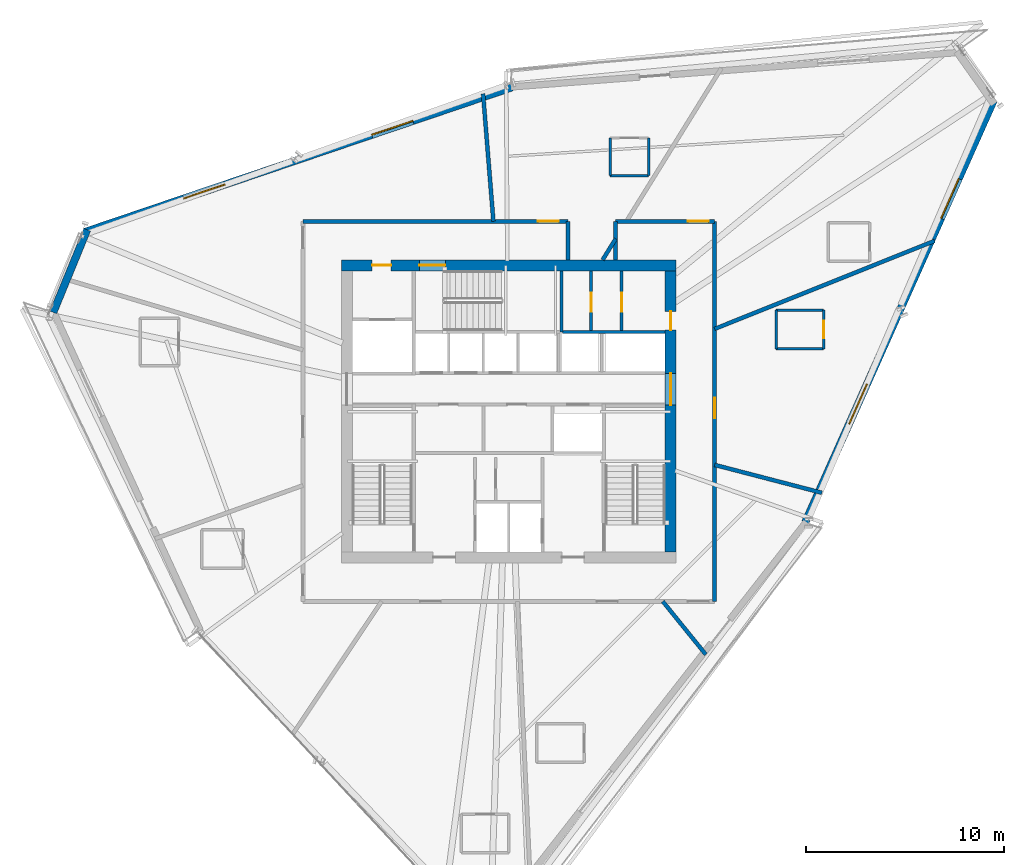
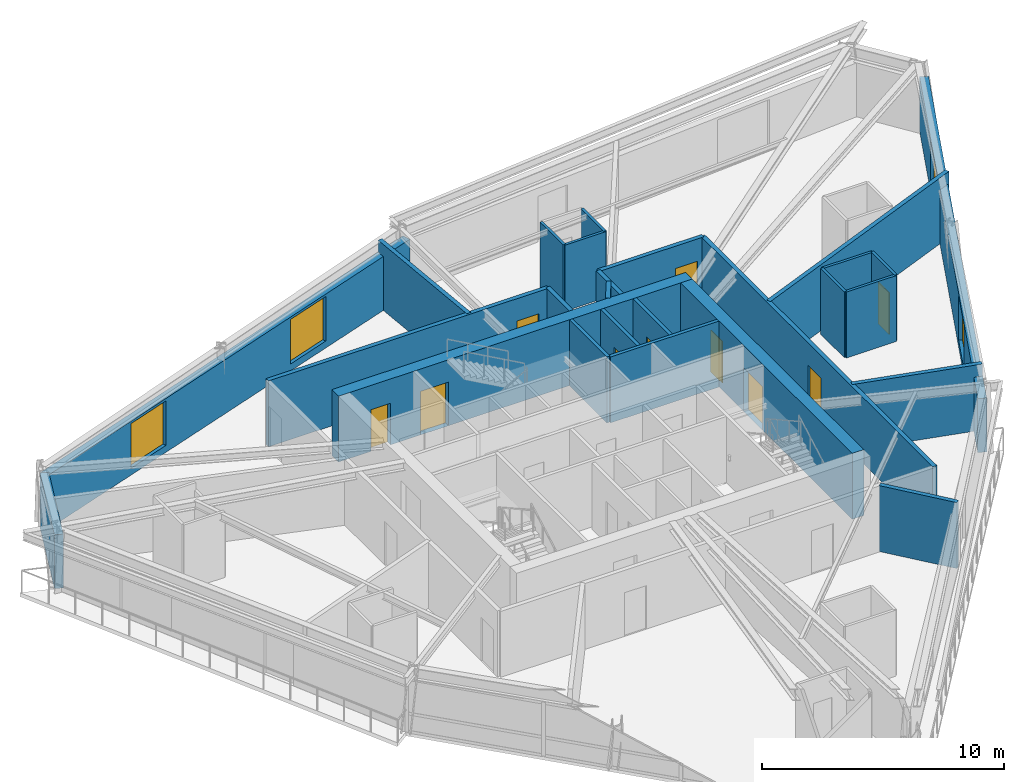
# One storey, part 10 of 14: 26 walls, 10 doors, 4 windows, 14 openings.
"""IFC4 building model written with IfcOpenShell, lengths in metres."""

from ifc_helpers import new_model, si_unit, direction, frame, frame_2d, origin, place, context, subcontext, project, spatial, rectangle, extrude, source, transform, mapped, material, layer, layer_set, type_object, type_shapes, element, fill, save


model = new_model("IFC4")

# Units and contexts
model_context = context("Model", 3, precision=1e-05, world=origin(), true_north=direction((0.0, 1.0)))
body_context = subcontext(model_context, "Body", "Model", "MODEL_VIEW")
ifc_project = project(units=[si_unit("LENGTHUNIT", "METRE"), si_unit("AREAUNIT", "SQUARE_METRE"), si_unit("VOLUMEUNIT", "CUBIC_METRE"), si_unit("PLANEANGLEUNIT", "RADIAN"), si_unit("MASSUNIT", "GRAM", prefix="KILO")], contexts=[model_context])

# Site, building, storey
site_placement = place(None, origin())
site = spatial("IfcSite", under=ifc_project, at=site_placement, CompositionType="ELEMENT")
building_placement = place(site_placement, origin())
building = spatial("IfcBuilding", under=site, at=building_placement, Name="Olszyna Solenne Hotel", CompositionType="ELEMENT")
storey_placement = place(building_placement, frame((0.0, 0.0, 178.550048828125)))
storey = spatial("IfcBuildingStorey", under=building, at=storey_placement, Name="L47", CompositionType="ELEMENT", Elevation=178.550048828125)

# Wall, openings, doors
ifc_material_1 = material(Name="Concrete C50/60", Category="concrete")
ifc_layer_1 = layer(ifc_material_1, 0.550048828125, Name="Concrete C50/60")
ifc_layer_set_1 = layer_set([ifc_layer_1], Name="Concrete C50/60")
wall_type_1 = type_object("IfcWallType", Name="WL-CR550", PredefinedType="SHEAR", material=ifc_layer_set_1)
wall_1_placement = place(storey_placement, frame((29.550048828125, 33.97509765625, 0.0), z_axis=(0.0, 0.0, 1.0), x_axis=(1.0, 0.0, 0.0)))
wall_1 = element("IfcWall", 1, at=wall_1_placement, inside=storey, type_object=wall_type_1, Name="Core shear wall WL-CR550 CRW-L47-N", PredefinedType="SHEAR", context=body_context, shape_type="SweptSolid", body=[
    extrude(rectangle(XDim=16.89990234375, YDim=0.550048828125, at=frame_2d((8.449951171875, 0.0))), origin(), (0.0, 0.0, 1.0), 3.329833984375),
])
opening_1_placement = place(wall_1_placement, frame((1.550048828125, 0.0, 0.0)))
opening_1 = element("IfcOpeningElement", 2, at=opening_1_placement, cuts=wall_1, Name="Opening SVD-L47-01", PredefinedType="OPENING", context=body_context, shape_type="SweptSolid", body=[
    extrude(rectangle(XDim=0.949951171875, YDim=2.10009765625, at=frame_2d((0.47509765625, 1.050048828125))), frame((0.0, 0.28515625, 0.0), z_axis=(0.0, -1.0, 0.0), x_axis=(1.0, 0.0, 0.0)), (0.0, 0.0, 1.0), 0.570068359375),
])
opening_2_placement = place(wall_1_placement, frame((3.929931640625, 0.0, 0.0)))
opening_2 = element("IfcOpeningElement", 3, at=opening_2_placement, cuts=wall_1, Name="Opening STD-L47-03", PredefinedType="OPENING", context=body_context, shape_type="SweptSolid", body=[
    extrude(rectangle(XDim=1.320068359375, YDim=2.199951171875, at=frame_2d((0.66015625, 1.10009765625))), frame((0.0, 0.28515625, 0.0), z_axis=(0.0, -1.0, 0.0), x_axis=(1.0, 0.0, 0.0)), (0.0, 0.0, 1.0), 0.570068359375),
])
ifc_material_2 = material(Name="Steel S355J2", Category="steel")
door_type_1 = type_object("IfcDoorType", Name="DR-ST1", OperationType="NOTDEFINED", PredefinedType="DOOR", material=ifc_material_2)
shared_shape_1 = source(origin(), body_context, "Body", "SweptSolid", [
    extrude(rectangle(XDim=1.320068359375, YDim=2.199951171875, at=frame_2d((0.66015625, 1.10009765625))), frame((0.0, 0.02490234375, 0.0), z_axis=(0.0, -1.0, 0.0), x_axis=(1.0, 0.0, 0.0)), (0.0, 0.0, 1.0), 0.050048828125),
])
type_shapes(door_type_1, [shared_shape_1])
door_1_placement = place(opening_2_placement, origin())
door_1 = element("IfcDoor", 4, at=door_1_placement, inside=storey, type_object=door_type_1, Name="Pressurised exit stair ST3 fire door STD-L47-03", OperationType="SINGLE_SWING_RIGHT", OverallHeight=2.199951171875, OverallWidth=1.320068359375, PredefinedType="DOOR", context=body_context, shape_type="MappedRepresentation", body=[
    mapped(shared_shape_1, transform((0.0, 0.0, 0.0), x_axis=(1.0, 0.0, 0.0), y_axis=(0.0, 1.0, 0.0), z_axis=(0.0, 0.0, 1.0), scale=1.0)),
])
fill(opening_2, door_1)
door_type_2 = type_object("IfcDoorType", Name="DR-SV1", OperationType="NOTDEFINED", PredefinedType="DOOR", material=ifc_material_2)
shared_shape_2 = source(origin(), body_context, "Body", "SweptSolid", [
    extrude(rectangle(XDim=0.949951171875, YDim=2.10009765625, at=frame_2d((0.47509765625, 1.050048828125))), frame((0.0, 0.02490234375, 0.0), z_axis=(0.0, -1.0, 0.0), x_axis=(1.0, 0.0, 0.0)), (0.0, 0.0, 1.0), 0.050048828125),
])
type_shapes(door_type_2, [shared_shape_2])
door_2_placement = place(opening_1_placement, origin())
door_2 = element("IfcDoor", 5, at=door_2_placement, inside=storey, type_object=door_type_2, Name="Service lift lobby fire door SVD-L47-01", OperationType="SINGLE_SWING_LEFT", OverallHeight=2.10009765625, OverallWidth=0.949951171875, PredefinedType="DOOR", context=body_context, shape_type="MappedRepresentation", body=[
    mapped(shared_shape_2, transform((0.0, 0.0, 0.0), x_axis=(1.0, 0.0, 0.0), y_axis=(0.0, 1.0, 0.0), z_axis=(0.0, 0.0, 1.0), scale=1.0)),
])
fill(opening_1, door_2)

wall_2_placement = place(storey_placement, frame((46.175048828125, 33.699951171875, 0.0), z_axis=(0.0, 0.0, 1.0), x_axis=(0.0, -1.0, 0.0)))
wall_2 = element("IfcWall", 6, at=wall_2_placement, inside=storey, type_object=wall_type_1, Name="Core shear wall WL-CR550 CRW-L47-E", PredefinedType="SHEAR", context=body_context, shape_type="SweptSolid", body=[
    extrude(rectangle(XDim=14.199951171875, YDim=0.550048828125, at=frame_2d((7.10009765625, 0.0))), origin(), (0.0, 0.0, 1.0), 3.329833984375),
])
opening_3_placement = place(wall_2_placement, frame((5.179931640625, 0.0, 0.0)))
opening_3 = element("IfcOpeningElement", 7, at=opening_3_placement, cuts=wall_2, Name="Opening LHD-L47-E", PredefinedType="OPENING", context=body_context, shape_type="SweptSolid", body=[
    extrude(rectangle(XDim=1.60009765625, YDim=2.199951171875, at=frame_2d((0.800048828125, 1.10009765625))), frame((0.0, 0.28515625, 0.0), z_axis=(0.0, -1.0, 0.0), x_axis=(1.0, 0.0, 0.0)), (0.0, 0.0, 1.0), 0.570068359375),
])
opening_4_placement = place(wall_2_placement, frame((2.050048828125, 0.0, 0.0)))
opening_4 = element("IfcOpeningElement", 8, at=opening_4_placement, cuts=wall_2, Name="Opening SVD-L47-BE", PredefinedType="OPENING", context=body_context, shape_type="SweptSolid", body=[
    extrude(rectangle(XDim=0.949951171875, YDim=2.10009765625, at=frame_2d((0.47509765625, 1.050048828125))), frame((0.0, 0.28515625, 0.0), z_axis=(0.0, -1.0, 0.0), x_axis=(1.0, 0.0, 0.0)), (0.0, 0.0, 1.0), 0.570068359375),
])
door_3_placement = place(opening_4_placement, origin())
door_3 = element("IfcDoor", 9, at=door_3_placement, inside=storey, type_object=door_type_2, Name="Housekeeping core fire door SVD-L47-BE", OperationType="SINGLE_SWING_RIGHT", OverallHeight=2.10009765625, OverallWidth=0.949951171875, PredefinedType="DOOR", context=body_context, shape_type="MappedRepresentation", body=[
    mapped(shared_shape_2, transform((0.0, 0.0, 0.0), x_axis=(1.0, 0.0, 0.0), y_axis=(0.0, 1.0, 0.0), z_axis=(0.0, 0.0, 1.0), scale=1.0)),
])
fill(opening_4, door_3)
ifc_material_3 = material(Name="Timber hardwood", Category="wood")
door_type_3 = type_object("IfcDoorType", Name="DR-CR1", OperationType="DOUBLE_DOOR_SINGLE_SWING", PredefinedType="DOOR", material=ifc_material_3)
shared_shape_3 = source(origin(), body_context, "Body", "SweptSolid", [
    extrude(rectangle(XDim=1.60009765625, YDim=2.199951171875, at=frame_2d((0.800048828125, 1.10009765625))), frame((0.0, 0.02490234375, 0.0), z_axis=(0.0, -1.0, 0.0), x_axis=(1.0, 0.0, 0.0)), (0.0, 0.0, 1.0), 0.050048828125),
])
type_shapes(door_type_3, [shared_shape_3])
door_4_placement = place(opening_3_placement, origin())
door_4 = element("IfcDoor", 10, at=door_4_placement, inside=storey, type_object=door_type_3, Name="Passenger lift lobby East fire door LHD-L47-E", OperationType="DOUBLE_DOOR_SINGLE_SWING", OverallHeight=2.199951171875, OverallWidth=1.60009765625, PredefinedType="DOOR", context=body_context, shape_type="MappedRepresentation", body=[
    mapped(shared_shape_3, transform((0.0, 0.0, 0.0), x_axis=(1.0, 0.0, 0.0), y_axis=(0.0, 1.0, 0.0), z_axis=(0.0, 0.0, 1.0), scale=1.0)),
])
fill(opening_3, door_4)

# Wall
ifc_material_4 = material(Name="Terracotta cladding on precast concrete C45/55", Category="masonry")
ifc_layer_2 = layer(ifc_material_4, 0.3798828125, Name="Terracotta cladding on precast concrete C45/55")
ifc_layer_set_2 = layer_set([ifc_layer_2], Name="Terracotta cladding on precast concrete C45/55")
wall_type_2 = type_object("IfcWallType", Name="WL-EX380", PredefinedType="SOLIDWALL", material=ifc_layer_set_2)
wall_3_placement = place(storey_placement, frame((14.985595703125, 31.599609375, 0.0), z_axis=(0.0, 0.0, 1.0), x_axis=(0.379425607081, 0.925222248269, 0.0)))
element("IfcWall", 11, at=wall_3_placement, inside=storey, type_object=wall_type_2, Name="Exterior terracotta-precast frame wall WL-EX380 EW-L47-06", PredefinedType="SOLIDWALL", context=body_context, shape_type="SweptSolid", body=[
    extrude(rectangle(XDim=4.508056640625, YDim=0.3798828125, at=frame_2d((2.25390625, 0.0))), origin(), (0.0, 0.0, 1.0), 2.721923828125),
])

# Wall, openings, windows
wall_4_placement = place(storey_placement, frame((16.5810546875, 35.66259765625, 0.0), z_axis=(0.0, 0.0, 1.0), x_axis=(0.947210910962, 0.320611119822, 0.0)))
wall_4 = element("IfcWall", 12, at=wall_4_placement, inside=storey, type_object=wall_type_2, Name="Exterior terracotta-precast frame wall WL-EX380 EW-L47-07", PredefinedType="SOLIDWALL", context=body_context, shape_type="SweptSolid", body=[
    extrude(rectangle(XDim=22.773681640625, YDim=0.3798828125, at=frame_2d((11.38671875, 0.0))), origin(), (0.0, 0.0, 1.0), 2.721923828125),
])
opening_5_placement = place(wall_4_placement, frame((5.277099609375, 0.0, 0.35205078125)))
opening_5 = element("IfcOpeningElement", 13, at=opening_5_placement, cuts=wall_4, Name="Opening WN-L47-296", PredefinedType="OPENING", context=body_context, shape_type="SweptSolid", body=[
    extrude(rectangle(XDim=2.199951171875, YDim=2.25, at=frame_2d((1.10009765625, 1.125))), frame((0.0, 0.199951171875, 0.0), z_axis=(0.0, -1.0, 0.0), x_axis=(1.0, 0.0, 0.0)), (0.0, 0.0, 1.0), 0.39990234375),
])
opening_6_placement = place(wall_4_placement, frame((15.297119140625, 0.0, 0.35205078125)))
opening_6 = element("IfcOpeningElement", 14, at=opening_6_placement, cuts=wall_4, Name="Opening WN-L47-297", PredefinedType="OPENING", context=body_context, shape_type="SweptSolid", body=[
    extrude(rectangle(XDim=2.199951171875, YDim=2.25, at=frame_2d((1.10009765625, 1.125))), frame((0.0, 0.199951171875, 0.0), z_axis=(0.0, -1.0, 0.0), x_axis=(1.0, 0.0, 0.0)), (0.0, 0.0, 1.0), 0.39990234375),
])
ifc_material_5 = material(Name="Low-E triple glazing", Category="glass")
window_type = type_object("IfcWindowType", Name="WN-HT2", PartitioningType="SINGLE_PANEL", PredefinedType="WINDOW", material=ifc_material_5)
shared_shape_4 = source(origin(), body_context, "Body", "SweptSolid", [
    extrude(rectangle(XDim=2.199951171875, YDim=2.25, at=frame_2d((1.10009765625, 1.125))), frame((0.0, 0.030029296875, 0.0), z_axis=(0.0, -1.0, 0.0), x_axis=(1.0, 0.0, 0.0)), (0.0, 0.0, 1.0), 0.06005859375),
])
type_shapes(window_type, [shared_shape_4])
window_1_placement = place(opening_5_placement, origin())
window_1 = element("IfcWindow", 15, at=window_1_placement, inside=storey, type_object=window_type, Name="Exterior facade window WN-HT2 WN-L47-296", OverallHeight=2.25, OverallWidth=2.199951171875, PartitioningType="SINGLE_PANEL", PredefinedType="WINDOW", context=body_context, shape_type="MappedRepresentation", body=[
    mapped(shared_shape_4, transform((0.0, 0.0, 0.0), x_axis=(1.0, 0.0, 0.0), y_axis=(0.0, 1.0, 0.0), z_axis=(0.0, 0.0, 1.0), scale=1.0)),
])
fill(opening_5, window_1)
window_2_placement = place(opening_6_placement, origin())
window_2 = element("IfcWindow", 16, at=window_2_placement, inside=storey, type_object=window_type, Name="Exterior facade window WN-HT2 WN-L47-297", OverallHeight=2.25, OverallWidth=2.199951171875, PartitioningType="SINGLE_PANEL", PredefinedType="WINDOW", context=body_context, shape_type="MappedRepresentation", body=[
    mapped(shared_shape_4, transform((0.0, 0.0, 0.0), x_axis=(1.0, 0.0, 0.0), y_axis=(0.0, 1.0, 0.0), z_axis=(0.0, 0.0, 1.0), scale=1.0)),
])
fill(opening_6, window_2)

wall_5_placement = place(storey_placement, frame((62.501708984375, 42.3154296875, 0.0), z_axis=(0.0, 0.0, 1.0), x_axis=(-0.408010166112, -0.912977384358, 0.0)))
wall_5 = element("IfcWall", 17, at=wall_5_placement, inside=storey, type_object=wall_type_2, Name="Exterior terracotta-precast frame wall WL-EX380 EW-L47-10", PredefinedType="SOLIDWALL", context=body_context, shape_type="SweptSolid", body=[
    extrude(rectangle(XDim=23.34716796875, YDim=0.3798828125, at=frame_2d((11.673583984375, 0.0))), origin(), (0.0, 0.0, 1.0), 2.721923828125),
])
opening_7_placement = place(wall_5_placement, frame((4.3369140625, 0.0, 0.35205078125)))
opening_7 = element("IfcOpeningElement", 18, at=opening_7_placement, cuts=wall_5, Name="Opening WN-L47-299", PredefinedType="OPENING", context=body_context, shape_type="SweptSolid", body=[
    extrude(rectangle(XDim=2.199951171875, YDim=2.25, at=frame_2d((1.10009765625, 1.125))), frame((0.0, 0.199951171875, 0.0), z_axis=(0.0, -1.0, 0.0), x_axis=(1.0, 0.0, 0.0)), (0.0, 0.0, 1.0), 0.39990234375),
])
opening_8_placement = place(wall_5_placement, frame((15.7099609375, 0.0, 0.35205078125)))
opening_8 = element("IfcOpeningElement", 19, at=opening_8_placement, cuts=wall_5, Name="Opening WN-L47-300", PredefinedType="OPENING", context=body_context, shape_type="SweptSolid", body=[
    extrude(rectangle(XDim=2.199951171875, YDim=2.25, at=frame_2d((1.10009765625, 1.125))), frame((0.0, 0.199951171875, 0.0), z_axis=(0.0, -1.0, 0.0), x_axis=(1.0, 0.0, 0.0)), (0.0, 0.0, 1.0), 0.39990234375),
])
window_3_placement = place(opening_7_placement, origin())
window_3 = element("IfcWindow", 20, at=window_3_placement, inside=storey, type_object=window_type, Name="Exterior facade window WN-HT2 WN-L47-299", OverallHeight=2.25, OverallWidth=2.199951171875, PartitioningType="SINGLE_PANEL", PredefinedType="WINDOW", context=body_context, shape_type="MappedRepresentation", body=[
    mapped(shared_shape_4, transform((0.0, 0.0, 0.0), x_axis=(1.0, 0.0, 0.0), y_axis=(0.0, 1.0, 0.0), z_axis=(0.0, 0.0, 1.0), scale=1.0)),
])
fill(opening_7, window_3)
window_4_placement = place(opening_8_placement, origin())
window_4 = element("IfcWindow", 21, at=window_4_placement, inside=storey, type_object=window_type, Name="Exterior facade window WN-HT2 WN-L47-300", OverallHeight=2.25, OverallWidth=2.199951171875, PartitioningType="SINGLE_PANEL", PredefinedType="WINDOW", context=body_context, shape_type="MappedRepresentation", body=[
    mapped(shared_shape_4, transform((0.0, 0.0, 0.0), x_axis=(1.0, 0.0, 0.0), y_axis=(0.0, 1.0, 0.0), z_axis=(0.0, 0.0, 1.0), scale=1.0)),
])
fill(opening_8, window_4)

# Wall, opening, door
ifc_material_6 = material(Name="Acoustic gypsum partition", Category="gypsum")
ifc_layer_3 = layer(ifc_material_6, 0.125, Name="Acoustic gypsum partition")
ifc_layer_set_3 = layer_set([ifc_layer_3], Name="Acoustic gypsum partition")
wall_type_3 = type_object("IfcWallType", Name="WL-PT125", PredefinedType="PARTITIONING", material=ifc_layer_set_3)
wall_6_placement = place(storey_placement, frame((53.905029296875, 29.759033203125, 0.0), z_axis=(0.0, 0.0, 1.0), x_axis=(0.0, 1.0, 0.0)))
wall_6 = element("IfcWall", 22, at=wall_6_placement, inside=storey, type_object=wall_type_3, Name="Interior acoustic partition WL-PT125 PW-L47-2635", PredefinedType="PARTITIONING", context=body_context, shape_type="SweptSolid", body=[
    extrude(rectangle(XDim=1.949951171875, YDim=0.125, at=frame_2d((0.97509765625, 0.0))), origin(), (0.0, 0.0, 1.0), 3.329833984375),
])
opening_9_placement = place(wall_6_placement, frame((0.52490234375, 0.0, 0.0)))
opening_9 = element("IfcOpeningElement", 23, at=opening_9_placement, cuts=wall_6, Name="Opening DR-L47-0634", PredefinedType="OPENING", context=body_context, shape_type="SweptSolid", body=[
    extrude(rectangle(XDim=0.89990234375, YDim=2.10009765625, at=frame_2d((0.449951171875, 1.050048828125))), frame((0.0, 0.072509765625, 0.0), z_axis=(0.0, -1.0, 0.0), x_axis=(1.0, 0.0, 0.0)), (0.0, 0.0, 1.0), 0.14501953125),
])
door_type_4 = type_object("IfcDoorType", Name="DR-WC1", OperationType="NOTDEFINED", PredefinedType="DOOR", material=ifc_material_3)
shared_shape_5 = source(origin(), body_context, "Body", "SweptSolid", [
    extrude(rectangle(XDim=0.89990234375, YDim=2.10009765625, at=frame_2d((0.449951171875, 1.050048828125))), frame((0.0, 0.02490234375, 0.0), z_axis=(0.0, -1.0, 0.0), x_axis=(1.0, 0.0, 0.0)), (0.0, 0.0, 1.0), 0.050048828125),
])
type_shapes(door_type_4, [shared_shape_5])
door_5_placement = place(opening_9_placement, origin())
door_5 = element("IfcDoor", 24, at=door_5_placement, inside=storey, type_object=door_type_4, Name="En-Suite Bathroom Door DR-L47-0634", OperationType="SINGLE_SWING_RIGHT", OverallHeight=2.10009765625, OverallWidth=0.89990234375, PredefinedType="DOOR", context=body_context, shape_type="MappedRepresentation", body=[
    mapped(shared_shape_5, transform((0.0, 0.0, 0.0), x_axis=(1.0, 0.0, 0.0), y_axis=(0.0, 1.0, 0.0), z_axis=(0.0, 0.0, 1.0), scale=1.0)),
])
fill(opening_9, door_5)

# Walls
wall_7_placement = place(storey_placement, frame((53.905029296875, 31.708984375, 0.0), z_axis=(0.0, 0.0, 1.0), x_axis=(-1.0, 0.0, 0.0)))
element("IfcWall", 25, at=wall_7_placement, inside=storey, type_object=wall_type_3, Name="Interior acoustic partition WL-PT125 PW-L47-2636", PredefinedType="PARTITIONING", context=body_context, shape_type="SweptSolid", body=[
    extrude(rectangle(XDim=2.400146484375, YDim=0.125, at=frame_2d((1.2001953125, 0.0))), origin(), (0.0, 0.0, 1.0), 3.329833984375),
])
wall_8_placement = place(storey_placement, frame((51.5048828125, 31.708984375, 0.0), z_axis=(0.0, 0.0, 1.0), x_axis=(0.0, -1.0, 0.0)))
element("IfcWall", 26, at=wall_8_placement, inside=storey, type_object=wall_type_3, Name="Interior acoustic partition WL-PT125 PW-L47-2637", PredefinedType="PARTITIONING", context=body_context, shape_type="SweptSolid", body=[
    extrude(rectangle(XDim=1.949951171875, YDim=0.125, at=frame_2d((0.97509765625, 0.0))), origin(), (0.0, 0.0, 1.0), 3.329833984375),
])
wall_9_placement = place(storey_placement, frame((51.5048828125, 29.759033203125, 0.0), z_axis=(0.0, 0.0, 1.0), x_axis=(1.0, 0.0, 0.0)))
element("IfcWall", 27, at=wall_9_placement, inside=storey, type_object=wall_type_3, Name="Interior acoustic partition WL-PT125 PW-L47-2638", PredefinedType="PARTITIONING", context=body_context, shape_type="SweptSolid", body=[
    extrude(rectangle(XDim=2.400146484375, YDim=0.125, at=frame_2d((1.2001953125, 0.0))), origin(), (0.0, 0.0, 1.0), 3.329833984375),
])
for number, where, z_axis, x_axis, name in (
    (28, (45.069091796875, 38.508056640625, 0.0), (0.0, 0.0, 1.0), (0.0, 1.0, 0.0), "Interior acoustic partition WL-PT125 PW-L47-2643"),
    (29, (43.118896484375, 40.407958984375, 0.0), (0.0, 0.0, 1.0), (0.0, -1.0, 0.0), "Interior acoustic partition WL-PT125 PW-L47-2645"),
):
    element("IfcWall", number, at=place(storey_placement, frame(where, z_axis=z_axis, x_axis=x_axis)), inside=storey, type_object=wall_type_3, Name=name, PredefinedType="PARTITIONING", context=body_context, shape_type="SweptSolid", body=[
        extrude(rectangle(XDim=1.89990234375, YDim=0.125, at=frame_2d((0.949951171875, 0.0))), origin(), (0.0, 0.0, 1.0), 3.329833984375),
    ])
wall_10_placement = place(storey_placement, frame((43.118896484375, 38.508056640625, 0.0), z_axis=(0.0, 0.0, 1.0), x_axis=(1.0, 0.0, 0.0)))
element("IfcWall", 30, at=wall_10_placement, inside=storey, type_object=wall_type_3, Name="Interior acoustic partition WL-PT125 PW-L47-2646", PredefinedType="PARTITIONING", context=body_context, shape_type="SweptSolid", body=[
    extrude(rectangle(XDim=1.9501953125, YDim=0.125, at=frame_2d((0.97509765625, 0.0))), origin(), (0.0, 0.0, 1.0), 3.329833984375),
])
ifc_layer_4 = layer(ifc_material_6, 0.159912109375, Name="Acoustic gypsum partition")
ifc_layer_set_4 = layer_set([ifc_layer_4], Name="Acoustic gypsum partition")
wall_type_4 = type_object("IfcWallType", Name="WL-PT160", PredefinedType="PARTITIONING", material=ifc_layer_set_4)
wall_11_placement = place(storey_placement, frame((40.659912109375, 30.60009765625, 0.0), z_axis=(0.0, 0.0, 1.0), x_axis=(0.0, 1.0, 0.0)))
element("IfcWall", 31, at=wall_11_placement, inside=storey, type_object=wall_type_4, Name="Core shaft compartment wall CW-L47-ST3E", PredefinedType="PARTITIONING", context=body_context, shape_type="SweptSolid", body=[
    extrude(rectangle(XDim=3.099853515625, YDim=0.159912109375, at=frame_2d((1.5498046875, 0.0))), origin(), (0.0, 0.0, 1.0), 3.329833984375),
])
wall_12_placement = place(storey_placement, frame((40.719970703125, 30.60009765625, 0.0), z_axis=(0.0, 0.0, 1.0), x_axis=(1.0, 0.0, 0.0)))
element("IfcWall", 32, at=wall_12_placement, inside=storey, type_object=wall_type_4, Name="Core shaft compartment wall CW-L47-LRNTOP", PredefinedType="PARTITIONING", context=body_context, shape_type="SweptSolid", body=[
    extrude(rectangle(XDim=5.179931640625, YDim=0.159912109375, at=frame_2d((2.58984375, 0.0))), origin(), (0.0, 0.0, 1.0), 3.329833984375),
])

# Wall, opening, door
wall_13_placement = place(storey_placement, frame((42.155029296875, 30.679931640625, 0.0), z_axis=(0.0, 0.0, 1.0), x_axis=(0.0, 1.0, 0.0)))
wall_13 = element("IfcWall", 33, at=wall_13_placement, inside=storey, type_object=wall_type_4, Name="Core shaft compartment wall CW-L47-BOH3A", PredefinedType="PARTITIONING", context=body_context, shape_type="SweptSolid", body=[
    extrude(rectangle(XDim=3.02001953125, YDim=0.159912109375, at=frame_2d((1.510009765625, 0.0))), origin(), (0.0, 0.0, 1.0), 3.329833984375),
])
opening_10_placement = place(wall_13_placement, frame((0.949951171875, 0.0, 0.0)))
opening_10 = element("IfcOpeningElement", 34, at=opening_10_placement, cuts=wall_13, Name="Opening SVD-L47-B31", PredefinedType="OPENING", context=body_context, shape_type="SweptSolid", body=[
    extrude(rectangle(XDim=0.949951171875, YDim=2.10009765625, at=frame_2d((0.47509765625, 1.050048828125))), frame((0.0, 0.08984375, 0.0), z_axis=(0.0, -1.0, 0.0), x_axis=(1.0, 0.0, 0.0)), (0.0, 0.0, 1.0), 0.179931640625),
])
door_6_placement = place(opening_10_placement, origin())
door_6 = element("IfcDoor", 35, at=door_6_placement, inside=storey, type_object=door_type_2, Name="BOH inter-room fire door SVD-L47-B31", OperationType="SINGLE_SWING_LEFT", OverallHeight=2.10009765625, OverallWidth=0.949951171875, PredefinedType="DOOR", context=body_context, shape_type="MappedRepresentation", body=[
    mapped(shared_shape_2, transform((0.0, 0.0, 0.0), x_axis=(1.0, 0.0, 0.0), y_axis=(0.0, 1.0, 0.0), z_axis=(0.0, 0.0, 1.0), scale=1.0)),
])
fill(opening_10, door_6)

wall_14_placement = place(storey_placement, frame((43.695068359375, 30.679931640625, 0.0), z_axis=(0.0, 0.0, 1.0), x_axis=(0.0, 1.0, 0.0)))
wall_14 = element("IfcWall", 36, at=wall_14_placement, inside=storey, type_object=wall_type_4, Name="Core shaft compartment wall CW-L47-BOH3B", PredefinedType="PARTITIONING", context=body_context, shape_type="SweptSolid", body=[
    extrude(rectangle(XDim=3.02001953125, YDim=0.159912109375, at=frame_2d((1.510009765625, 0.0))), origin(), (0.0, 0.0, 1.0), 3.329833984375),
])
opening_11_placement = place(wall_14_placement, frame((0.949951171875, 0.0, 0.0)))
opening_11 = element("IfcOpeningElement", 37, at=opening_11_placement, cuts=wall_14, Name="Opening SVD-L47-B32", PredefinedType="OPENING", context=body_context, shape_type="SweptSolid", body=[
    extrude(rectangle(XDim=0.949951171875, YDim=2.10009765625, at=frame_2d((0.47509765625, 1.050048828125))), frame((0.0, 0.08984375, 0.0), z_axis=(0.0, -1.0, 0.0), x_axis=(1.0, 0.0, 0.0)), (0.0, 0.0, 1.0), 0.179931640625),
])
door_7_placement = place(opening_11_placement, origin())
door_7 = element("IfcDoor", 38, at=door_7_placement, inside=storey, type_object=door_type_2, Name="BOH inter-room fire door SVD-L47-B32", OperationType="SINGLE_SWING_LEFT", OverallHeight=2.10009765625, OverallWidth=0.949951171875, PredefinedType="DOOR", context=body_context, shape_type="MappedRepresentation", body=[
    mapped(shared_shape_2, transform((0.0, 0.0, 0.0), x_axis=(1.0, 0.0, 0.0), y_axis=(0.0, 1.0, 0.0), z_axis=(0.0, 0.0, 1.0), scale=1.0)),
])
fill(opening_11, door_7)

# Walls
ifc_layer_5 = layer(ifc_material_6, 0.199951171875, Name="Acoustic gypsum partition")
ifc_layer_set_5 = layer_set([ifc_layer_5], Name="Acoustic gypsum partition")
wall_type_5 = type_object("IfcWallType", Name="WL-PT200", PredefinedType="PARTITIONING", material=ifc_layer_set_5)
wall_15_placement = place(storey_placement, frame((45.777587890625, 17.0, 0.0), z_axis=(0.0, 0.0, 1.0), x_axis=(0.629534141466, -0.776972821101, 0.0)))
element("IfcWall", 39, at=wall_15_placement, inside=storey, type_object=wall_type_5, Name="Interior acoustic partition WL-PT200 PW-L47-2616", PredefinedType="PARTITIONING", context=body_context, shape_type="SweptSolid", body=[
    extrude(rectangle(XDim=3.44921875, YDim=0.199951171875, at=frame_2d((1.724609375, 0.0))), origin(), (0.0, 0.0, 1.0), 3.329833984375),
])
wall_16_placement = place(storey_placement, frame((48.39990234375, 23.89453125, 0.0), z_axis=(0.0, 0.0, 1.0), x_axis=(0.96779125921, -0.251754004132, 0.0)))
element("IfcWall", 40, at=wall_16_placement, inside=storey, type_object=wall_type_5, Name="Interior acoustic partition WL-PT200 PW-L47-2617", PredefinedType="PARTITIONING", context=body_context, shape_type="SweptSolid", body=[
    extrude(rectangle(XDim=5.595458984375, YDim=0.199951171875, at=frame_2d((2.7978515625, 0.0))), origin(), (0.0, 0.0, 1.0), 3.329833984375),
])
wall_17_placement = place(storey_placement, frame((48.39990234375, 30.764404296875, 0.0), z_axis=(0.0, 0.0, 1.0), x_axis=(0.928341463562, 0.371728566338, 0.0)))
element("IfcWall", 41, at=wall_17_placement, inside=storey, type_object=wall_type_5, Name="Interior acoustic partition WL-PT200 PW-L47-2618", PredefinedType="PARTITIONING", context=body_context, shape_type="SweptSolid", body=[
    extrude(rectangle(XDim=11.95849609375, YDim=0.199951171875, at=frame_2d((5.979248046875, 0.0))), origin(), (0.0, 0.0, 1.0), 3.329833984375),
])
wall_18_placement = place(storey_placement, frame((42.73828125, 34.25, 0.0), z_axis=(0.0, 0.0, 1.0), x_axis=(0.526414798645, 0.850227886962, 0.0)))
element("IfcWall", 42, at=wall_18_placement, inside=storey, type_object=wall_type_5, Name="Interior acoustic partition WL-PT200 PW-L47-2619", PredefinedType="PARTITIONING", context=body_context, shape_type="SweptSolid", body=[
    extrude(rectangle(XDim=1.2568359375, YDim=0.199951171875, at=frame_2d((0.62841796875, 0.0))), origin(), (0.0, 0.0, 1.0), 3.329833984375),
])
wall_19_placement = place(storey_placement, frame((37.222412109375, 36.199951171875, 0.0), z_axis=(0.0, 0.0, 1.0), x_axis=(-0.080766167067, 0.996733076735, 0.0)))
element("IfcWall", 43, at=wall_19_placement, inside=storey, type_object=wall_type_5, Name="Interior acoustic partition WL-PT200 PW-L47-2621", PredefinedType="PARTITIONING", context=body_context, shape_type="SweptSolid", body=[
    extrude(rectangle(XDim=6.462646484375, YDim=0.199951171875, at=frame_2d((3.2314453125, 0.0))), origin(), (0.0, 0.0, 1.0), 3.329833984375),
])

# Wall, opening, door
wall_20_placement = place(storey_placement, frame((27.60009765625, 36.199951171875, 0.0), z_axis=(0.0, 0.0, 1.0), x_axis=(1.0, 0.0, 0.0)))
wall_20 = element("IfcWall", 44, at=wall_20_placement, inside=storey, type_object=wall_type_5, Name="Interior acoustic partition WL-PT200 PW-L47-2653", PredefinedType="PARTITIONING", context=body_context, shape_type="SweptSolid", body=[
    extrude(rectangle(XDim=13.39990234375, YDim=0.199951171875, at=frame_2d((6.699951171875, 0.0))), origin(), (0.0, 0.0, 1.0), 3.329833984375),
])
opening_12_placement = place(wall_20_placement, frame((11.8740234375, 0.0, 0.0)))
opening_12 = element("IfcOpeningElement", 45, at=opening_12_placement, cuts=wall_20, Name="Opening DR-L47-0644", PredefinedType="OPENING", context=body_context, shape_type="SweptSolid", body=[
    extrude(rectangle(XDim=1.050048828125, YDim=2.199951171875, at=frame_2d((0.52490234375, 1.10009765625))), frame((0.0, 0.10986328125, 0.0), z_axis=(0.0, -1.0, 0.0), x_axis=(1.0, 0.0, 0.0)), (0.0, 0.0, 1.0), 0.219970703125),
])
door_type_5 = type_object("IfcDoorType", Name="DR-RM2", OperationType="NOTDEFINED", PredefinedType="DOOR", material=ifc_material_3)
shared_shape_6 = source(origin(), body_context, "Body", "SweptSolid", [
    extrude(rectangle(XDim=1.050048828125, YDim=2.199951171875, at=frame_2d((0.52490234375, 1.10009765625))), frame((0.0, 0.02490234375, 0.0), z_axis=(0.0, -1.0, 0.0), x_axis=(1.0, 0.0, 0.0)), (0.0, 0.0, 1.0), 0.050048828125),
])
type_shapes(door_type_5, [shared_shape_6])
door_8_placement = place(opening_12_placement, origin())
door_8 = element("IfcDoor", 46, at=door_8_placement, inside=storey, type_object=door_type_5, Name="Deluxe Hotel Guestroom Entrance Door DR-L47-0644", OperationType="SINGLE_SWING_RIGHT", OverallHeight=2.199951171875, OverallWidth=1.050048828125, PredefinedType="DOOR", context=body_context, shape_type="MappedRepresentation", body=[
    mapped(shared_shape_6, transform((0.0, 0.0, 0.0), x_axis=(1.0, 0.0, 0.0), y_axis=(0.0, 1.0, 0.0), z_axis=(0.0, 0.0, 1.0), scale=1.0)),
])
fill(opening_12, door_8)

# Wall
wall_21_placement = place(storey_placement, frame((41.0, 34.25, 0.0), z_axis=(0.0, 0.0, 1.0), x_axis=(0.0, 1.0, 0.0)))
element("IfcWall", 47, at=wall_21_placement, inside=storey, type_object=wall_type_5, Name="Interior acoustic partition WL-PT200 PW-L47-2654", PredefinedType="PARTITIONING", context=body_context, shape_type="SweptSolid", body=[
    extrude(rectangle(XDim=1.949951171875, YDim=0.199951171875, at=frame_2d((0.97509765625, 0.0))), origin(), (0.0, 0.0, 1.0), 3.329833984375),
])

# Wall, opening, door
wall_22_placement = place(storey_placement, frame((43.39990234375, 36.199951171875, 0.0), z_axis=(0.0, 0.0, 1.0), x_axis=(1.0, 0.0, 0.0)))
wall_22 = element("IfcWall", 48, at=wall_22_placement, inside=storey, type_object=wall_type_5, Name="Interior acoustic partition WL-PT200 PW-L47-2655", PredefinedType="PARTITIONING", context=body_context, shape_type="SweptSolid", body=[
    extrude(rectangle(XDim=5.0, YDim=0.199951171875, at=frame_2d((2.5, 0.0))), origin(), (0.0, 0.0, 1.0), 3.329833984375),
])
opening_13_placement = place(wall_22_placement, frame((3.64990234375, 0.0, 0.0)))
opening_13 = element("IfcOpeningElement", 49, at=opening_13_placement, cuts=wall_22, Name="Opening DR-L47-0645", PredefinedType="OPENING", context=body_context, shape_type="SweptSolid", body=[
    extrude(rectangle(XDim=1.050048828125, YDim=2.199951171875, at=frame_2d((0.52490234375, 1.10009765625))), frame((0.0, 0.10986328125, 0.0), z_axis=(0.0, -1.0, 0.0), x_axis=(1.0, 0.0, 0.0)), (0.0, 0.0, 1.0), 0.219970703125),
])
door_9_placement = place(opening_13_placement, origin())
door_9 = element("IfcDoor", 50, at=door_9_placement, inside=storey, type_object=door_type_5, Name="Deluxe Hotel Guestroom Entrance Door DR-L47-0645", OperationType="SINGLE_SWING_LEFT", OverallHeight=2.199951171875, OverallWidth=1.050048828125, PredefinedType="DOOR", context=body_context, shape_type="MappedRepresentation", body=[
    mapped(shared_shape_6, transform((0.0, 0.0, 0.0), x_axis=(1.0, 0.0, 0.0), y_axis=(0.0, 1.0, 0.0), z_axis=(0.0, 0.0, 1.0), scale=1.0)),
])
fill(opening_13, door_9)

# Wall
wall_23_placement = place(storey_placement, frame((43.39990234375, 34.25, 0.0), z_axis=(0.0, 0.0, 1.0), x_axis=(0.0, 1.0, 0.0)))
element("IfcWall", 51, at=wall_23_placement, inside=storey, type_object=wall_type_5, Name="Interior acoustic partition WL-PT200 PW-L47-2656", PredefinedType="PARTITIONING", context=body_context, shape_type="SweptSolid", body=[
    extrude(rectangle(XDim=1.949951171875, YDim=0.199951171875, at=frame_2d((0.97509765625, 0.0))), origin(), (0.0, 0.0, 1.0), 3.329833984375),
])

# Wall, opening, door
wall_24_placement = place(storey_placement, frame((48.39990234375, 17.0, 0.0), z_axis=(0.0, 0.0, 1.0), x_axis=(0.0, 1.0, 0.0)))
wall_24 = element("IfcWall", 52, at=wall_24_placement, inside=storey, type_object=wall_type_5, Name="Interior acoustic partition WL-PT200 PW-L47-2657", PredefinedType="PARTITIONING", context=body_context, shape_type="SweptSolid", body=[
    extrude(rectangle(XDim=19.199951171875, YDim=0.199951171875, at=frame_2d((9.60009765625, 0.0))), origin(), (0.0, 0.0, 1.0), 3.329833984375),
])
opening_14_placement = place(wall_24_placement, frame((9.2490234375, 0.0, 0.0)))
opening_14 = element("IfcOpeningElement", 53, at=opening_14_placement, cuts=wall_24, Name="Opening DR-L47-0646", PredefinedType="OPENING", context=body_context, shape_type="SweptSolid", body=[
    extrude(rectangle(XDim=1.050048828125, YDim=2.199951171875, at=frame_2d((0.52490234375, 1.10009765625))), frame((0.0, 0.10986328125, 0.0), z_axis=(0.0, -1.0, 0.0), x_axis=(1.0, 0.0, 0.0)), (0.0, 0.0, 1.0), 0.219970703125),
])
door_10_placement = place(opening_14_placement, origin())
door_10 = element("IfcDoor", 54, at=door_10_placement, inside=storey, type_object=door_type_5, Name="Deluxe Hotel Guestroom Entrance Door DR-L47-0646", OperationType="SINGLE_SWING_RIGHT", OverallHeight=2.199951171875, OverallWidth=1.050048828125, PredefinedType="DOOR", context=body_context, shape_type="MappedRepresentation", body=[
    mapped(shared_shape_6, transform((0.0, 0.0, 0.0), x_axis=(1.0, 0.0, 0.0), y_axis=(0.0, 1.0, 0.0), z_axis=(0.0, 0.0, 1.0), scale=1.0)),
])
fill(opening_14, door_10)

save(model, "model.ifc")
